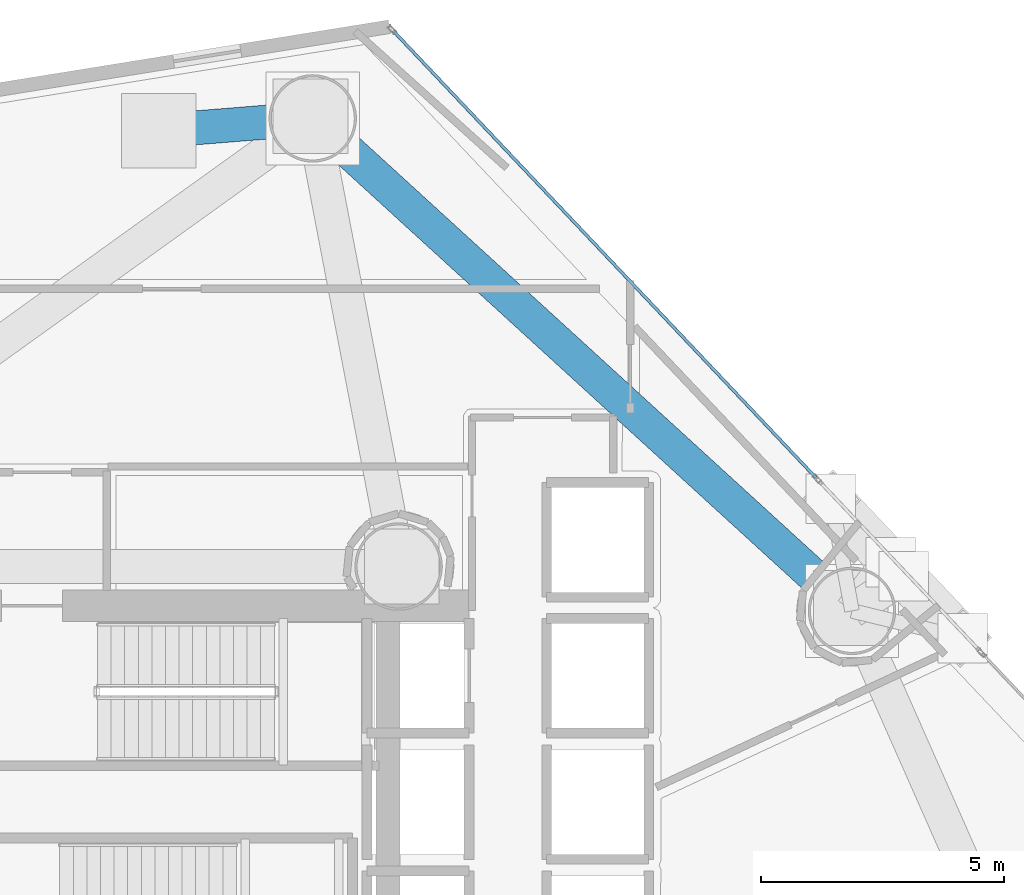
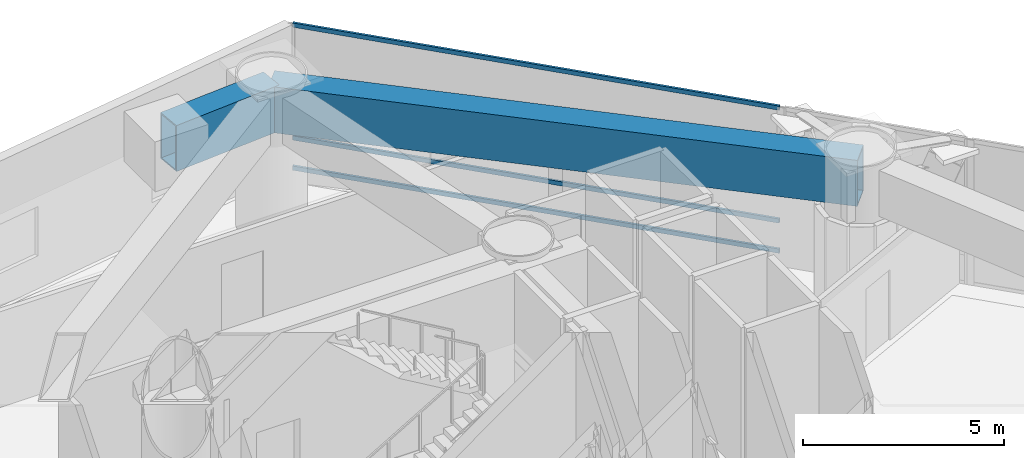
# One storey, part 11 of 22: 3 members, 2 beams, 1 element without a shape of its own.
"""IFC4 building model written with IfcOpenShell, lengths in metres."""

import ifcopenshell
import ifcopenshell.guid

model = None  # the IFC model being written
_history = None  # IfcOwnerHistory: only IFC2X3 demands one
_inside = {}  # id of a spatial element -> (the spatial element, [elements in it])
_under = {}  # id of a project, library or spatial element -> (it, [spatial elements below it])
_declared = {}  # id of a project -> (the project, [libraries it declares])
_typed = {}  # id of a type object -> (the type object, [elements of that type])
_made_of = {}  # id of a material, layer set ... -> (it, [elements and type objects made of it])


def new_model(schema):
    """Start an empty IFC model of exactly this schema.

    Asked for "IFC4X3", IfcOpenShell would pick the latest addendum, in which some entities
    have other attributes; the version numbers below select the first issue.
    IFC2X3 requires an IfcOwnerHistory on every rooted entity: one is made here for all.
    """
    global model, _history
    if schema == "IFC4X3":
        model = ifcopenshell.file(schema_version=(4, 3, 0, 0))
    else:
        model = ifcopenshell.file(schema=schema)
    _inside.clear()
    _under.clear()
    _declared.clear()
    _typed.clear()
    _made_of.clear()
    _history = None
    if model.schema == "IFC2X3":
        org = make("IfcOrganization", Name="unknown")
        user = make(
            "IfcPersonAndOrganization",
            ThePerson=make("IfcPerson", FamilyName="unknown"),
            TheOrganization=org,
        )
        app = make(
            "IfcApplication",
            ApplicationDeveloper=org,
            Version="unknown",
            ApplicationFullName="unknown",
            ApplicationIdentifier="unknown",
        )
        _history = make(
            "IfcOwnerHistory",
            OwningUser=user,
            OwningApplication=app,
            ChangeAction="ADDED",
            CreationDate=0,
        )
    return model


def make(cls, **values):
    """One entity of the class cls with the attributes given. An attribute that is None is left unset."""
    return model.create_entity(
        cls, **{name: value for name, value in values.items() if value is not None}
    )


def rooted(cls, **values):
    """An entity with a GlobalId (a new one), such as an element, a storey or a relation."""
    return make(cls, GlobalId=ifcopenshell.guid.new(), OwnerHistory=_history, **values)


def si_unit(unit_type, name, prefix=None):
    """IfcSIUnit, for example si_unit("LENGTHUNIT", "METRE", prefix="MILLI")."""
    return make("IfcSIUnit", UnitType=unit_type, Prefix=prefix, Name=name)


def assignment(units):
    """IfcUnitAssignment: the units of a project."""
    return None if units is None else make("IfcUnitAssignment", Units=units)


def point(xyz):
    """IfcCartesianPoint."""
    return None if xyz is None else make("IfcCartesianPoint", Coordinates=xyz)


def direction(xyz):
    """IfcDirection."""
    return None if xyz is None else make("IfcDirection", DirectionRatios=xyz)


def frame(location, z_axis=None, x_axis=None):
    """IfcAxis2Placement3D, a coordinate frame: its origin and axes. An axis left out is left unset."""
    return make(
        "IfcAxis2Placement3D",
        Location=point(location),
        Axis=direction(z_axis),
        RefDirection=direction(x_axis),
    )


def frame_2d(location, x_axis=None):
    """IfcAxis2Placement2D, a coordinate frame in the plane: its origin and x axis."""
    return make(
        "IfcAxis2Placement2D", Location=point(location), RefDirection=direction(x_axis)
    )


def origin():
    """The frame at (0, 0, 0) with its axes left unset."""
    return frame((0.0, 0.0, 0.0))


def origin_2d():
    """The frame at (0, 0) in the plane with its x axis left unset."""
    return frame_2d((0.0, 0.0))


def place(relative_to, where):
    """IfcLocalPlacement: puts the frame where relative to a parent placement (None: the world)."""
    return make(
        "IfcLocalPlacement", PlacementRelTo=relative_to, RelativePlacement=where
    )


def context(
    kind, dimensions, precision=None, world=None, true_north=None, identifier=None
):
    """IfcGeometricRepresentationContext, for example the 3D "Model" context."""
    return make(
        "IfcGeometricRepresentationContext",
        ContextIdentifier=identifier,
        ContextType=kind,
        CoordinateSpaceDimension=dimensions,
        Precision=precision,
        WorldCoordinateSystem=world,
        TrueNorth=true_north,
    )


def subcontext(parent, identifier, kind, view, scale=None):
    """IfcGeometricRepresentationSubContext, for example "Body" below "Model"."""
    return make(
        "IfcGeometricRepresentationSubContext",
        ContextIdentifier=identifier,
        ContextType=kind,
        ParentContext=parent,
        TargetScale=scale,
        TargetView=view,
    )


def project(units=None, contexts=None):
    """IfcProject with its units and contexts."""
    return rooted(
        "IfcProject",
        Name="project",
        RepresentationContexts=contexts,
        UnitsInContext=assignment(units),
    )


def spatial(cls, under=None, at=None, **own):
    """A site, building, storey or space (cls), placed at a placement, below another one or the project."""
    s = rooted(cls, ObjectPlacement=at, **own)
    if under is not None:
        _under.setdefault(under.id(), (under, []))[1].append(s)
    return s


def profile(cls, at=None, kind="AREA", **sizes):
    """A parametric profile (cls). Its sizes go by their IFC names, for example OverallWidth=200.0."""
    return make(cls, ProfileType=kind, Position=at, **sizes)


def hollow_rectangle(**sizes):
    """IfcRectangleHollowProfileDef."""
    return profile("IfcRectangleHollowProfileDef", **sizes)


def extrude(swept, where, along, depth):
    """IfcExtrudedAreaSolid: the profile swept, set in the frame where, extruded along a direction by depth."""
    return make(
        "IfcExtrudedAreaSolid",
        SweptArea=swept,
        Position=where,
        ExtrudedDirection=direction(along),
        Depth=depth,
    )


def shape(context_of_items, identifier, shape_type, items):
    """IfcShapeRepresentation: the items that make up one representation, for example the "Body"."""
    return make(
        "IfcShapeRepresentation",
        ContextOfItems=context_of_items,
        RepresentationIdentifier=identifier,
        RepresentationType=shape_type,
        Items=items,
    )


def material(Name=None, Category=None):
    """IfcMaterial."""
    return make("IfcMaterial", Name=Name, Category=Category)


def layer(
    of_material, thickness, ventilated=None, Name=None, Category=None, Priority=None
):
    """IfcMaterialLayer: one layer of a wall or slab, of a material (None: an air gap)."""
    return make(
        "IfcMaterialLayer",
        Material=of_material,
        LayerThickness=thickness,
        IsVentilated=ventilated,
        Name=Name,
        Category=Category,
        Priority=Priority,
    )


def layer_set(layers, Name=None):
    """IfcMaterialLayerSet."""
    return make("IfcMaterialLayerSet", MaterialLayers=layers, LayerSetName=Name)


def material_profile(
    of_material, cross_section, Name=None, Category=None, Priority=None
):
    """IfcMaterialProfile: a cross section and its material."""
    return make(
        "IfcMaterialProfile",
        Name=Name,
        Material=of_material,
        Profile=cross_section,
        Priority=Priority,
        Category=Category,
    )


def profile_set(profiles, Name=None, composite=None):
    """IfcMaterialProfileSet."""
    return make(
        "IfcMaterialProfileSet",
        Name=Name,
        MaterialProfiles=profiles,
        CompositeProfile=composite,
    )


def made_of(thing, what):
    """Note that an element or type object is made of a material, layer set ...; save() writes the relation."""
    if what is not None:
        _made_of.setdefault(what.id(), (what, []))[1].append(thing)
    return thing


def type_object(cls, material=None, **own):
    """A type object (cls), such as IfcWallType, which elements share."""
    return made_of(rooted(cls, **own), material)


def element(
    cls,
    number,
    at=None,
    inside=None,
    cuts=None,
    type_object=None,
    material=None,
    context=None,
    identifier="Body",
    shape_type=None,
    held_by="IfcProductDefinitionShape",
    body=None,
    shapes=None,
    **own,
):
    """One element of the class cls, such as IfcWall. Its Tag is "e" and its number.

    at: its placement. inside: the storey or other place that contains it. cuts: it is an
    opening in that element (IfcRelVoidsElement). A single representation is given by context,
    identifier, shape_type and body (its items); several are given by shapes. held_by: the class
    of the entity that holds the representations. save() writes the other relations.
    """
    e = rooted(cls, Tag="e%d" % number, ObjectPlacement=at, **own)
    if body is not None:
        shapes = [shape(context, identifier, shape_type, body)]
    if shapes is not None:
        e.Representation = make(held_by, Representations=shapes)
    if inside is not None:
        _inside.setdefault(inside.id(), (inside, []))[1].append(e)
    if cuts is not None:
        rooted(
            "IfcRelVoidsElement", RelatingBuildingElement=cuts, RelatedOpeningElement=e
        )
    if type_object is not None:
        _typed.setdefault(type_object.id(), (type_object, []))[1].append(e)
    return made_of(e, material)


def aggregate(whole, parts):
    """IfcRelAggregates: a whole, such as a stair, and the parts it consists of."""
    return rooted("IfcRelAggregates", RelatingObject=whole, RelatedObjects=parts)


def save(model, path):
    """Write the relations noted so far, then the file.

    IfcRelAggregates (storeys below a building ...), IfcRelContainedInSpatialStructure (elements
    in a storey), IfcRelDefinesByType, IfcRelAssociatesMaterial and IfcRelDeclares: one each for
    every whole, place, type object, material and project.
    """
    for whole, parts in _under.values():
        aggregate(whole, parts)
    for where, things in _inside.values():
        rooted(
            "IfcRelContainedInSpatialStructure",
            RelatedElements=things,
            RelatingStructure=where,
        )
    for kind, things in _typed.values():
        rooted("IfcRelDefinesByType", RelatedObjects=things, RelatingType=kind)
    for what, things in _made_of.values():
        rooted("IfcRelAssociatesMaterial", RelatedObjects=things, RelatingMaterial=what)
    for by, libraries in _declared.values():
        rooted("IfcRelDeclares", RelatingContext=by, RelatedDefinitions=libraries)
    model.write(path)


model = new_model("IFC4")

# Units and contexts
model_context = context("Model", 3, precision=1e-05, world=origin(), true_north=direction((0.0, 1.0)))
body_context = subcontext(model_context, "Body", "Model", "MODEL_VIEW")
ifc_project = project(units=[si_unit("LENGTHUNIT", "METRE"), si_unit("AREAUNIT", "SQUARE_METRE"), si_unit("VOLUMEUNIT", "CUBIC_METRE"), si_unit("PLANEANGLEUNIT", "RADIAN"), si_unit("MASSUNIT", "GRAM", prefix="KILO")], contexts=[model_context])

# Site, building, storey
site_placement = place(None, origin())
site = spatial("IfcSite", under=ifc_project, at=site_placement, CompositionType="ELEMENT")
building_placement = place(site_placement, origin())
building = spatial("IfcBuilding", under=site, at=building_placement, Name="Qianvela Tower", CompositionType="ELEMENT")
storey_placement = place(building_placement, frame((0.0, 0.0, 47.89990234375)))
storey = spatial("IfcBuildingStorey", under=building, at=storey_placement, Name="L11", CompositionType="ELEMENT", Elevation=47.89990234375)

# Beams
ifc_material_1 = material(Name="Steel Q420GJC", Category="steel")
ifc_material_profile_1 = material_profile(ifc_material_1, hollow_rectangle(XDim=0.699951171875, YDim=1.39990234375, WallThickness=0.0400390625, at=origin_2d()), Name="TG-BOX-1400x700x40")
ifc_profile_set_1 = profile_set([ifc_material_profile_1], Name="Steel Q420GJC")
beam_type_1 = type_object("IfcBeamType", Name="BM-TG-RAD-1400", PredefinedType="BEAM", material=ifc_profile_set_1)
beam_1_placement = place(storey_placement, frame((47.736083984375, 32.636962890625, 3.718017578125), z_axis=(-0.738396915155, 0.674366366072, 0.0), x_axis=(-0.674366366072, -0.738396915155, 0.0)))
element("IfcBeam", 1, at=beam_1_placement, inside=storey, type_object=beam_type_1, Name="L11 Perimeter Belt-Truss Top Ring Girder 2", PredefinedType="BEAM", context=body_context, shape_type="SweptSolid", body=[
    extrude(hollow_rectangle(XDim=0.699951171875, YDim=1.39990234375, WallThickness=0.0400390625, at=origin_2d()), origin(), (0.0, 0.0, 1.0), 15.0380859375),
])
ifc_material_2 = material(Name="Steel Q420GJC", Category="steel")
ifc_material_profile_2 = material_profile(ifc_material_2, hollow_rectangle(XDim=0.699951171875, YDim=1.39990234375, WallThickness=0.0400390625, at=origin_2d()), Name="TG-BOX-1400x700x40")
ifc_profile_set_2 = profile_set([ifc_material_profile_2], Name="Steel Q420GJC")
beam_type_2 = type_object("IfcBeamType", Name="BM-TG-STEP-1400", PredefinedType="BEAM", material=ifc_profile_set_2)
beam_2_placement = place(storey_placement, frame((36.632080078125, 42.778076171875, 3.718017578125), z_axis=(-0.996801812182, -0.079913373294, 0.0), x_axis=(0.079913373294, -0.996801812182, 0.0)))
element("IfcBeam", 2, at=beam_2_placement, inside=storey, type_object=beam_type_2, Name="L11 Zone-Step Transfer Girder 3", PredefinedType="BEAM", context=body_context, shape_type="SweptSolid", body=[
    extrude(hollow_rectangle(XDim=0.699951171875, YDim=1.39990234375, WallThickness=0.0400390625, at=origin_2d()), origin(), (0.0, 0.0, 1.0), 3.1162109375),
])

# Curtain wall, members
ifc_material_3 = material(Name="Anodised Architectural Aluminium and Low-E Glass", Category="aluminium")
ifc_layer = layer(ifc_material_3, 0.179931640625)
ifc_layer_set = layer_set([ifc_layer], Name="Anodised Architectural Aluminium and Low-E Glass")
curtain_wall_type = type_object("IfcCurtainWallType", Name="CW-COLIV-Z12", PredefinedType="USERDEFINED", material=ifc_layer_set)
curtain_wall_placement = place(storey_placement, origin())
curtain_wall = element("IfcCurtainWall", 3, at=curtain_wall_placement, inside=storey, type_object=curtain_wall_type, Name="L11 CW-COLIV-Z12 Curtain Wall 02C", ObjectType="CURTAIN_WALL_SYSTEM", PredefinedType="USERDEFINED")
ifc_material_4 = material(Name="Anodised Architectural Aluminium 6063-T6", Category="aluminium")
ifc_material_profile_3 = material_profile(ifc_material_4, hollow_rectangle(XDim=0.06494140625, YDim=0.1298828125, WallThickness=0.00439453125, at=origin_2d()), Name="ALU-TRAN-65x130")
ifc_profile_set_3 = profile_set([ifc_material_profile_3], Name="Anodised Architectural Aluminium 6063-T6")
member_type = type_object("IfcMemberType", Name="CW-COLIV-Z12-TRAN", PredefinedType="USERDEFINED", material=ifc_profile_set_3)
member_1_placement = place(storey_placement, frame((46.99267578125, 35.38134765625, 0.03271484375), z_axis=(-0.687174824713, 0.726492092373, 0.0), x_axis=(-0.726492092373, -0.687174824713, 0.0)))
member_1 = element("IfcMember", 4, at=member_1_placement, type_object=member_type, Name="CW-3 transom 1.1", ObjectType="TRANSOM", PredefinedType="USERDEFINED", context=body_context, shape_type="SweptSolid", body=[
    extrude(hollow_rectangle(XDim=0.06494140625, YDim=0.1298828125, WallThickness=0.00439453125, at=origin_2d()), origin(), (0.0, 0.0, 1.0), 12.6611328125),
])
member_2_placement = place(storey_placement, frame((46.99267578125, 35.38134765625, 0.9501953125), z_axis=(-0.687174824713, 0.726492092373, 0.0), x_axis=(-0.726492092373, -0.687174824713, 0.0)))
member_2 = element("IfcMember", 5, at=member_2_placement, type_object=member_type, Name="CW-3 transom 1.2", ObjectType="TRANSOM", PredefinedType="USERDEFINED", context=body_context, shape_type="SweptSolid", body=[
    extrude(hollow_rectangle(XDim=0.06494140625, YDim=0.1298828125, WallThickness=0.00439453125, at=origin_2d()), origin(), (0.0, 0.0, 1.0), 12.6611328125),
])
member_3_placement = place(storey_placement, frame((46.99267578125, 35.38134765625, 4.3876953125), z_axis=(-0.687174824713, 0.726492092373, 0.0), x_axis=(-0.726492092373, -0.687174824713, 0.0)))
member_3 = element("IfcMember", 6, at=member_3_placement, type_object=member_type, Name="CW-3 transom 1.3", ObjectType="TRANSOM", PredefinedType="USERDEFINED", context=body_context, shape_type="SweptSolid", body=[
    extrude(hollow_rectangle(XDim=0.06494140625, YDim=0.1298828125, WallThickness=0.00439453125, at=origin_2d()), origin(), (0.0, 0.0, 1.0), 12.6611328125),
])
aggregate(curtain_wall, [member_1, member_2, member_3])

save(model, "model.ifc")
